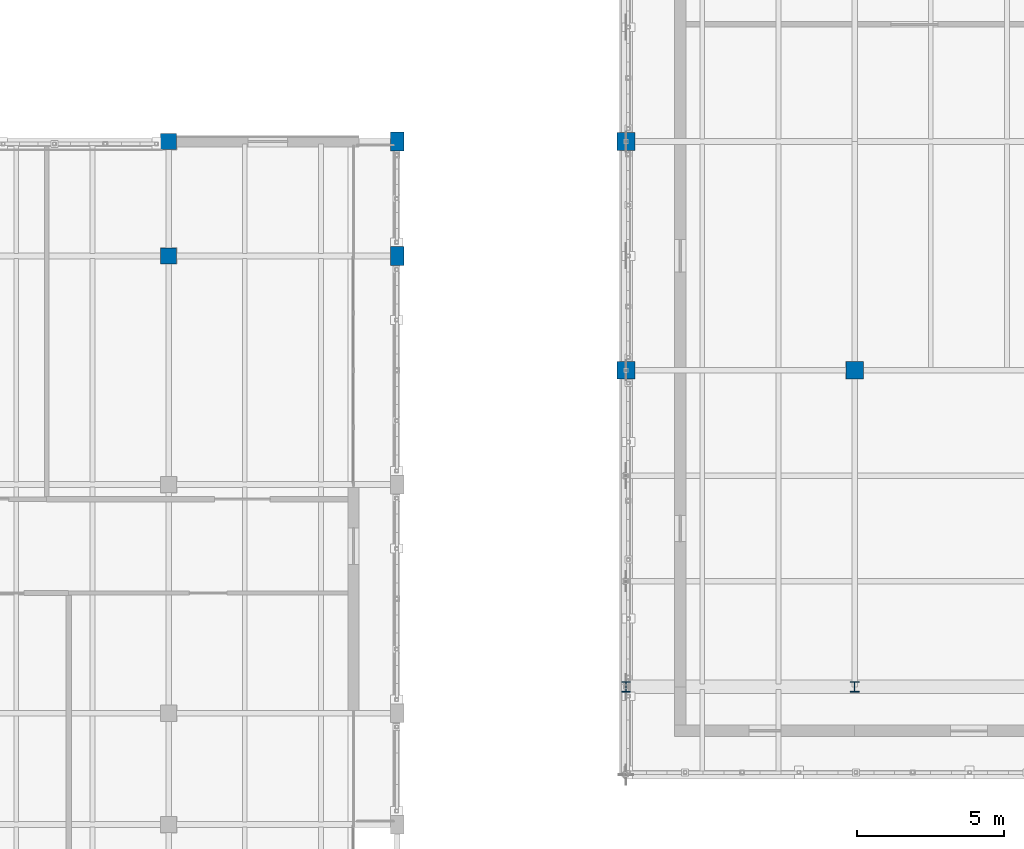
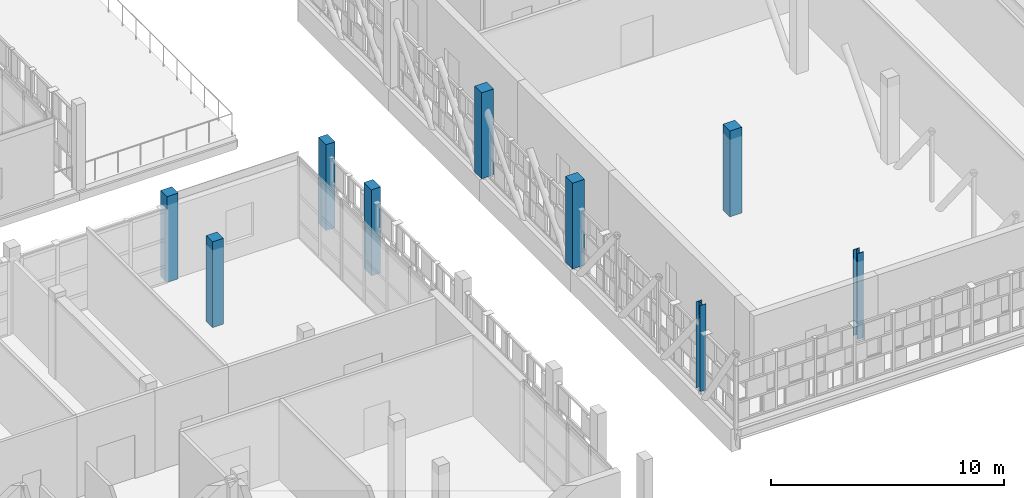
# One storey, part 2 of 119: 9 columns.
"""IFC4 building model written with IfcOpenShell, lengths in metres."""

from ifc_helpers import new_model, si_unit, direction, frame, origin, origin_2d, place, context, subcontext, project, spatial, rectangle, i_section, extrude, material, material_profile, profile_set, type_object, element, save


model = new_model("IFC4")

# Units and contexts
model_context = context("Model", 3, precision=1e-05, world=origin(), true_north=direction((0.0, 1.0)))
body_context = subcontext(model_context, "Body", "Model", "MODEL_VIEW")
ifc_project = project(units=[si_unit("LENGTHUNIT", "METRE"), si_unit("AREAUNIT", "SQUARE_METRE"), si_unit("VOLUMEUNIT", "CUBIC_METRE"), si_unit("PLANEANGLEUNIT", "RADIAN"), si_unit("MASSUNIT", "GRAM", prefix="KILO")], contexts=[model_context])

# Site, building, storey
site_placement = place(None, origin())
site = spatial("IfcSite", under=ifc_project, at=site_placement, CompositionType="ELEMENT")
building_placement = place(site_placement, origin())
building = spatial("IfcBuilding", under=site, at=building_placement, Name="Celorna Specialist Clinic", CompositionType="ELEMENT")
storey_placement = place(building_placement, frame((0.0, 0.0, 9.60009765625)))
storey = spatial("IfcBuildingStorey", under=building, at=storey_placement, Name="L02", CompositionType="ELEMENT", Elevation=9.60009765625)

# Columns
ifc_material_1 = material(Name="Concrete C40/50", Category="concrete")
ifc_material_profile_1 = material_profile(ifc_material_1, rectangle(XDim=0.60009765625, YDim=0.60009765625, at=origin_2d()), Name="RC 600x600")
ifc_profile_set_1 = profile_set([ifc_material_profile_1], Name="Concrete C40/50")
column_type_1 = type_object("IfcColumnType", Name="CT-04", PredefinedType="COLUMN", material=ifc_profile_set_1)
for number, where, z_axis, x_axis, name in (
    (1, (54.60009765625, 19.5, 0.0), (0.0, 0.0, 1.0), (1.0, 0.0, 0.0), "Column CT-04 L02 X08/YE"),
    (2, (54.60009765625, 27.300048828125, 0.0), (0.0, 0.0, 1.0), (1.0, 0.0, 0.0), "Column CT-04 L02 X08/YF"),
    (3, (62.39990234375, 19.5, 0.0), (0.0, 0.0, 1.0), (1.0, 0.0, 0.0), "Column CT-04 L02 X09/YE"),
):
    element("IfcColumn", number, at=place(storey_placement, frame(where, z_axis=z_axis, x_axis=x_axis)), inside=storey, type_object=column_type_1, Name=name, PredefinedType="COLUMN", context=body_context, shape_type="SweptSolid", body=[
        extrude(rectangle(XDim=0.60009765625, YDim=0.60009765625, at=origin_2d()), origin(), (0.0, 0.0, 1.0), 4.5),
    ])
ifc_material_2 = material(Name="Concrete C35/45", Category="concrete")
ifc_material_profile_2 = material_profile(ifc_material_2, rectangle(XDim=0.550048828125, YDim=0.550048828125, at=origin_2d()), Name="RC 550x550")
ifc_profile_set_2 = profile_set([ifc_material_profile_2], Name="Concrete C35/45")
column_type_2 = type_object("IfcColumnType", Name="CT-05", PredefinedType="COLUMN", material=ifc_profile_set_2)
for number, where, z_axis, x_axis, name in (
    (4, (39.0, 23.39990234375, 0.0), (0.0, 0.0, 1.0), (1.0, 0.0, 0.0), "Column CT-05 L02 X06/YE"),
    (5, (39.0, 27.300048828125, 0.0), (0.0, 0.0, 1.0), (1.0, 0.0, 0.0), "Column CT-05 L02 X06/YF"),
):
    element("IfcColumn", number, at=place(storey_placement, frame(where, z_axis=z_axis, x_axis=x_axis)), inside=storey, type_object=column_type_2, Name=name, PredefinedType="COLUMN", context=body_context, shape_type="SweptSolid", body=[
        extrude(rectangle(XDim=0.550048828125, YDim=0.550048828125, at=origin_2d()), origin(), (0.0, 0.0, 1.0), 4.5),
    ])
ifc_material_profile_3 = material_profile(ifc_material_1, rectangle(XDim=0.449951171875, YDim=0.64990234375, at=origin_2d()), Name="RC 450x650")
ifc_profile_set_3 = profile_set([ifc_material_profile_3], Name="Concrete C40/50")
column_type_3 = type_object("IfcColumnType", Name="CT-10", PredefinedType="COLUMN", material=ifc_profile_set_3)
for number, where, z_axis, x_axis, name in (
    (6, (46.800048828125, 23.39990234375, 0.0), (0.0, 0.0, 1.0), (1.0, 0.0, 0.0), "Column CT-10 L02 X07/YE"),
    (7, (46.800048828125, 27.300048828125, 0.0), (0.0, 0.0, 1.0), (1.0, 0.0, 0.0), "Column CT-10 L02 X07/YF"),
):
    element("IfcColumn", number, at=place(storey_placement, frame(where, z_axis=z_axis, x_axis=x_axis)), inside=storey, type_object=column_type_3, Name=name, PredefinedType="COLUMN", context=body_context, shape_type="SweptSolid", body=[
        extrude(rectangle(XDim=0.449951171875, YDim=0.64990234375, at=origin_2d()), origin(), (0.0, 0.0, 1.0), 4.5),
    ])
ifc_material_3 = material(Name="Steel S355", Category="steel")
ifc_material_profile_4 = material_profile(ifc_material_3, i_section(OverallWidth=0.300048828125, OverallDepth=0.360107421875, WebThickness=0.012451171875, FlangeThickness=0.0224609375, at=origin_2d()), Name="HE 360 B")
ifc_profile_set_4 = profile_set([ifc_material_profile_4], Name="Steel S355")
column_type_4 = type_object("IfcColumnType", Name="CT-13", PredefinedType="COLUMN", material=ifc_profile_set_4)
for number, where, z_axis, x_axis, name in (
    (8, (54.60009765625, 8.699951171875, 0.0), (0.0, 0.0, 1.0), (1.0, 0.0, 0.0), "Column CT-13 L02 X08/YC"),
    (9, (62.39990234375, 8.699951171875, 0.0), (0.0, 0.0, 1.0), (1.0, 0.0, 0.0), "Column CT-13 L02 X09/YC"),
):
    element("IfcColumn", number, at=place(storey_placement, frame(where, z_axis=z_axis, x_axis=x_axis)), inside=storey, type_object=column_type_4, Name=name, PredefinedType="COLUMN", context=body_context, shape_type="SweptSolid", body=[
        extrude(i_section(OverallWidth=0.300048828125, OverallDepth=0.360107421875, WebThickness=0.012451171875, FlangeThickness=0.0224609375, at=origin_2d()), origin(), (0.0, 0.0, 1.0), 4.5),
    ])

save(model, "model.ifc")
